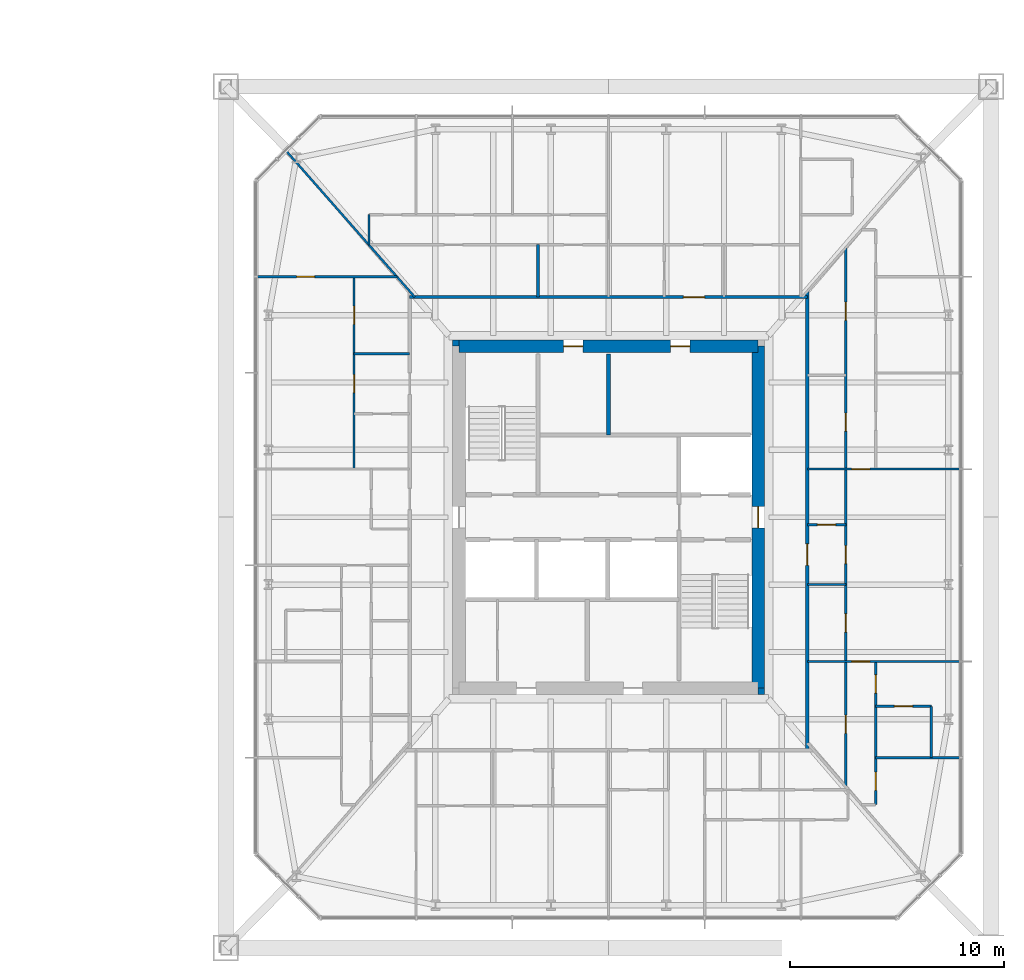
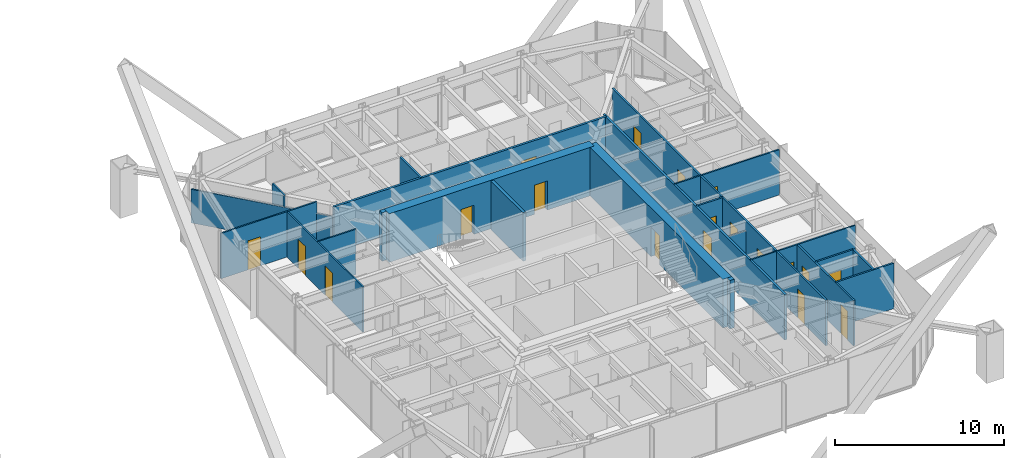
# One storey, part 22 of 28: 22 walls, 19 doors, 19 openings.
"""IFC4 building model written with IfcOpenShell, lengths in metres."""

from ifc_helpers import new_model, si_unit, direction, frame, frame_2d, origin, place, context, subcontext, project, spatial, rectangle, extrude, material, layer, layer_set, type_object, element, fill, save


model = new_model("IFC4")

# Units and contexts
model_context = context("Model", 3, precision=1e-05, world=origin(), true_north=direction((0.0, 1.0)))
body_context = subcontext(model_context, "Body", "Model", "MODEL_VIEW")
ifc_project = project(units=[si_unit("LENGTHUNIT", "METRE"), si_unit("AREAUNIT", "SQUARE_METRE"), si_unit("VOLUMEUNIT", "CUBIC_METRE"), si_unit("PLANEANGLEUNIT", "RADIAN"), si_unit("MASSUNIT", "GRAM", prefix="KILO")], contexts=[model_context])

# Site, building, storey
site_placement = place(None, origin())
site = spatial("IfcSite", under=ifc_project, at=site_placement, CompositionType="ELEMENT")
building_placement = place(site_placement, origin())
building = spatial("IfcBuilding", under=site, at=building_placement, Name="Iwan Alto Co-Living Towers", CompositionType="ELEMENT")
storey_placement = place(building_placement, frame((0.0, 0.0, 64.0)))
storey = spatial("IfcBuildingStorey", under=building, at=storey_placement, Name="L17", CompositionType="ELEMENT", Elevation=64.0)

# Wall, opening, door
ifc_material_1 = material(Name="Gypsum board")
ifc_layer_1 = layer(ifc_material_1, 0.02490234375, Name="Board", Category="Finish")
ifc_material_2 = material(Name="Steel ASTM A1003 ST33H cold-formed studs", Category="steel")
ifc_layer_2 = layer(ifc_material_2, 0.10009765625, Name="Studs", Category="Framing")
ifc_layer_3 = layer(ifc_material_1, 0.02490234375, Name="Board", Category="Finish")
ifc_layer_set_1 = layer_set([ifc_layer_1, ifc_layer_2, ifc_layer_3], Name="CORRIDOR WALL 150")
wall_type_1 = type_object("IfcWallType", Name="CORRIDOR WALL 150", PredefinedType="PARTITIONING", material=ifc_layer_set_1)
wall_1_placement = place(storey_placement, frame((53.699951171875, 10.300048828125, 0.0), z_axis=(0.0, 0.0, 1.0), x_axis=(1.0, 0.0, 0.0)))
wall_1 = element("IfcWall", 1, at=wall_1_placement, inside=storey, type_object=wall_type_1, Name="Partition L17", PredefinedType="PARTITIONING", context=body_context, shape_type="SweptSolid", body=[
    extrude(rectangle(XDim=18.60009765625, YDim=0.14990234375, at=frame_2d((9.300048828125, 0.0))), origin(), (0.0, 0.0, 1.0), 3.27001953125),
])
opening_1_placement = place(wall_1_placement, frame((12.800048828125, 0.0, 0.0)))
opening_1 = element("IfcOpeningElement", 2, at=opening_1_placement, cuts=wall_1, Name="Opening D3", PredefinedType="OPENING", context=body_context, shape_type="SweptSolid", body=[
    extrude(rectangle(XDim=1.0, YDim=2.10009765625, at=frame_2d((0.5, 1.050048828125))), frame((0.0, 0.0849609375, 0.0), z_axis=(0.0, -1.0, 0.0), x_axis=(1.0, 0.0, 0.0)), (0.0, 0.0, 1.0), 0.169921875),
])
ifc_material_3 = material(Name="Steel frame with timber leaf", Category="steel")
door_type_1 = type_object("IfcDoorType", Name="FLAT ENTRANCE DOOR FD30S 1000X2100", OperationType="SINGLE_SWING_LEFT", PredefinedType="DOOR", material=ifc_material_3)
door_1_placement = place(opening_1_placement, origin())
door_1 = element("IfcDoor", 3, at=door_1_placement, inside=storey, type_object=door_type_1, Name="Apartment foyer door L17", OperationType="SINGLE_SWING_LEFT", OverallHeight=2.10009765625, OverallWidth=1.0, PredefinedType="DOOR", context=body_context, shape_type="SweptSolid", body=[
    extrude(rectangle(XDim=1.0, YDim=2.10009765625, at=frame_2d((0.5, 1.050048828125))), frame((0.0, 0.02490234375, 0.0), z_axis=(0.0, -1.0, 0.0), x_axis=(1.0, 0.0, 0.0)), (0.0, 0.0, 1.0), 0.050048828125),
])
fill(opening_1, door_1)

wall_2_placement = place(storey_placement, frame((72.300048828125, -10.89990234375, 0.0), z_axis=(0.0, 0.0, 1.0), x_axis=(0.0, 1.0, 0.0)))
wall_2 = element("IfcWall", 4, at=wall_2_placement, inside=storey, type_object=wall_type_1, Name="Partition L17", PredefinedType="PARTITIONING", context=body_context, shape_type="SweptSolid", body=[
    extrude(rectangle(XDim=21.468017578125, YDim=0.14990234375, at=frame_2d((10.73388671875, 0.0))), origin(), (0.0, 0.0, 1.0), 3.27001953125),
])
opening_2_placement = place(wall_2_placement, frame((8.64990234375, 0.0, 0.0)))
opening_2 = element("IfcOpeningElement", 5, at=opening_2_placement, cuts=wall_2, Name="Opening D3", PredefinedType="OPENING", context=body_context, shape_type="SweptSolid", body=[
    extrude(rectangle(XDim=1.0, YDim=2.10009765625, at=frame_2d((0.5, 1.050048828125))), frame((0.0, 0.0849609375, 0.0), z_axis=(0.0, -1.0, 0.0), x_axis=(1.0, 0.0, 0.0)), (0.0, 0.0, 1.0), 0.169921875),
])
door_2_placement = place(opening_2_placement, frame((1.0, 0.0, 0.0), z_axis=(0.0, 0.0, 1.0), x_axis=(-1.0, 0.0, 0.0)))
door_2 = element("IfcDoor", 6, at=door_2_placement, inside=storey, type_object=door_type_1, Name="Apartment foyer door L17", OperationType="SINGLE_SWING_RIGHT", OverallHeight=2.10009765625, OverallWidth=1.0, PredefinedType="DOOR", context=body_context, shape_type="SweptSolid", body=[
    extrude(rectangle(XDim=1.0, YDim=2.10009765625, at=frame_2d((0.5, 1.050048828125))), frame((0.0, 0.02490234375, 0.0), z_axis=(0.0, -1.0, 0.0), x_axis=(1.0, 0.0, 0.0)), (0.0, 0.0, 1.0), 0.050048828125),
])
fill(opening_2, door_2)

ifc_layer_4 = layer(ifc_material_1, 0.012451171875, Name="Board", Category="Finish")
ifc_layer_5 = layer(ifc_material_2, 0.074951171875, Name="Studs", Category="Framing")
ifc_layer_6 = layer(ifc_material_1, 0.012451171875, Name="Board", Category="Finish")
ifc_layer_set_2 = layer_set([ifc_layer_4, ifc_layer_5, ifc_layer_6], Name="PARTITION 100")
wall_type_2 = type_object("IfcWallType", Name="PARTITION 100", PredefinedType="PARTITIONING", material=ifc_layer_set_2)
wall_3_placement = place(storey_placement, frame((72.300048828125, -6.75, 0.0), z_axis=(0.0, 0.0, 1.0), x_axis=(1.0, 0.0, 0.0)))
wall_3 = element("IfcWall", 7, at=wall_3_placement, inside=storey, type_object=wall_type_2, Name="Partition L17", PredefinedType="PARTITIONING", context=body_context, shape_type="SweptSolid", body=[
    extrude(rectangle(XDim=7.139892578125, YDim=0.10009765625, at=frame_2d((3.56982421875, 0.0))), origin(), (0.0, 0.0, 1.0), 3.27001953125),
])
opening_3_placement = place(wall_3_placement, frame((2.074951171875, 0.0, 0.0)))
opening_3 = element("IfcOpeningElement", 8, at=opening_3_placement, cuts=wall_3, Name="Opening D2", PredefinedType="OPENING", context=body_context, shape_type="SweptSolid", body=[
    extrude(rectangle(XDim=0.85009765625, YDim=2.10009765625, at=frame_2d((0.425048828125, 1.050048828125))), frame((0.0, 0.06005859375, 0.0), z_axis=(0.0, -1.0, 0.0), x_axis=(1.0, 0.0, 0.0)), (0.0, 0.0, 1.0), 0.1201171875),
])
ifc_material_4 = material(Name="Timber leaf in steel frame", Category="steel")
door_type_2 = type_object("IfcDoorType", Name="ROOM DOOR 850X2100", OperationType="SINGLE_SWING_LEFT", PredefinedType="DOOR", material=ifc_material_4)
door_3_placement = place(opening_3_placement, origin())
door_3 = element("IfcDoor", 9, at=door_3_placement, inside=storey, type_object=door_type_2, Name="Apartment hall door L17", OperationType="SINGLE_SWING_LEFT", OverallHeight=2.10009765625, OverallWidth=0.85009765625, PredefinedType="DOOR", context=body_context, shape_type="SweptSolid", body=[
    extrude(rectangle(XDim=0.85009765625, YDim=2.10009765625, at=frame_2d((0.425048828125, 1.050048828125))), frame((0.0, 0.02490234375, 0.0), z_axis=(0.0, -1.0, 0.0), x_axis=(1.0, 0.0, 0.0)), (0.0, 0.0, 1.0), 0.050048828125),
])
fill(opening_3, door_3)

# Wall
wall_4_placement = place(storey_placement, frame((72.300048828125, -3.14990234375, 0.0), z_axis=(0.0, 0.0, 1.0), x_axis=(1.0, 0.0, 0.0)))
element("IfcWall", 10, at=wall_4_placement, inside=storey, type_object=wall_type_2, Name="Partition L17", PredefinedType="PARTITIONING", context=body_context, shape_type="SweptSolid", body=[
    extrude(rectangle(XDim=1.800048828125, YDim=0.10009765625, at=frame_2d((0.89990234375, 0.0))), origin(), (0.0, 0.0, 1.0), 2.586669921875),
])

# Wall, opening, door
wall_5_placement = place(storey_placement, frame((72.300048828125, 2.25, 0.0), z_axis=(0.0, 0.0, 1.0), x_axis=(1.0, 0.0, 0.0)))
wall_5 = element("IfcWall", 11, at=wall_5_placement, inside=storey, type_object=wall_type_2, Name="Partition L17", PredefinedType="PARTITIONING", context=body_context, shape_type="SweptSolid", body=[
    extrude(rectangle(XDim=7.139892578125, YDim=0.10009765625, at=frame_2d((3.56982421875, 0.0))), origin(), (0.0, 0.0, 1.0), 3.27001953125),
])
opening_4_placement = place(wall_5_placement, frame((2.074951171875, 0.0, 0.0)))
opening_4 = element("IfcOpeningElement", 12, at=opening_4_placement, cuts=wall_5, Name="Opening D2", PredefinedType="OPENING", context=body_context, shape_type="SweptSolid", body=[
    extrude(rectangle(XDim=0.85009765625, YDim=2.10009765625, at=frame_2d((0.425048828125, 1.050048828125))), frame((0.0, 0.06005859375, 0.0), z_axis=(0.0, -1.0, 0.0), x_axis=(1.0, 0.0, 0.0)), (0.0, 0.0, 1.0), 0.1201171875),
])
door_4_placement = place(opening_4_placement, frame((0.85009765625, 0.0, 0.0), z_axis=(0.0, 0.0, 1.0), x_axis=(-1.0, 0.0, 0.0)))
door_4 = element("IfcDoor", 13, at=door_4_placement, inside=storey, type_object=door_type_2, Name="Apartment hall door L17", OperationType="SINGLE_SWING_RIGHT", OverallHeight=2.10009765625, OverallWidth=0.85009765625, PredefinedType="DOOR", context=body_context, shape_type="SweptSolid", body=[
    extrude(rectangle(XDim=0.85009765625, YDim=2.10009765625, at=frame_2d((0.425048828125, 1.050048828125))), frame((0.0, 0.02490234375, 0.0), z_axis=(0.0, -1.0, 0.0), x_axis=(1.0, 0.0, 0.0)), (0.0, 0.0, 1.0), 0.050048828125),
])
fill(opening_4, door_4)

# Wall
wall_6_placement = place(storey_placement, frame((51.10009765625, 7.64990234375, 0.0), z_axis=(0.0, 0.0, 1.0), x_axis=(1.0, 0.0, 0.0)))
element("IfcWall", 14, at=wall_6_placement, inside=storey, type_object=wall_type_2, Name="Partition L17", PredefinedType="PARTITIONING", context=body_context, shape_type="SweptSolid", body=[
    extrude(rectangle(XDim=2.599853515625, YDim=0.10009765625, at=frame_2d((1.2998046875, 0.0))), origin(), (0.0, 0.0, 1.0), 3.27001953125),
])

# Wall, opening, door
wall_7_placement = place(storey_placement, frame((46.56005859375, 11.25, 0.0), z_axis=(0.0, 0.0, 1.0), x_axis=(1.0, 0.0, 0.0)))
wall_7 = element("IfcWall", 15, at=wall_7_placement, inside=storey, type_object=wall_type_2, Name="Partition L17", PredefinedType="PARTITIONING", context=body_context, shape_type="SweptSolid", body=[
    extrude(rectangle(XDim=6.5400390625, YDim=0.10009765625, at=frame_2d((3.27001953125, 0.0))), origin(), (0.0, 0.0, 1.0), 3.27001953125),
])
opening_5_placement = place(wall_7_placement, frame((1.844970703125, 0.0, 0.0)))
opening_5 = element("IfcOpeningElement", 16, at=opening_5_placement, cuts=wall_7, Name="Opening D2", PredefinedType="OPENING", context=body_context, shape_type="SweptSolid", body=[
    extrude(rectangle(XDim=0.85009765625, YDim=2.10009765625, at=frame_2d((0.425048828125, 1.050048828125))), frame((0.0, 0.06005859375, 0.0), z_axis=(0.0, -1.0, 0.0), x_axis=(1.0, 0.0, 0.0)), (0.0, 0.0, 1.0), 0.1201171875),
])
door_5_placement = place(opening_5_placement, frame((0.85009765625, 0.0, 0.0), z_axis=(0.0, 0.0, 1.0), x_axis=(-1.0, 0.0, 0.0)))
door_5 = element("IfcDoor", 17, at=door_5_placement, inside=storey, type_object=door_type_2, Name="Bedroom door L17", OperationType="SINGLE_SWING_LEFT", OverallHeight=2.10009765625, OverallWidth=0.85009765625, PredefinedType="DOOR", context=body_context, shape_type="SweptSolid", body=[
    extrude(rectangle(XDim=0.85009765625, YDim=2.10009765625, at=frame_2d((0.425048828125, 1.050048828125))), frame((0.0, 0.02490234375, 0.0), z_axis=(0.0, -1.0, 0.0), x_axis=(1.0, 0.0, 0.0)), (0.0, 0.0, 1.0), 0.050048828125),
])
fill(opening_5, door_5)

# Wall
wall_8_placement = place(storey_placement, frame((51.800048828125, 12.72705078125, 0.0), z_axis=(0.0, 0.0, 1.0), x_axis=(0.0, 1.0, 0.0)))
element("IfcWall", 18, at=wall_8_placement, inside=storey, type_object=wall_type_2, Name="Partition L17", PredefinedType="PARTITIONING", context=body_context, shape_type="SweptSolid", body=[
    extrude(rectangle(XDim=1.4228515625, YDim=0.10009765625, at=frame_2d((0.71142578125, 0.0))), origin(), (0.0, 0.0, 1.0), 3.27001953125),
])

# Wall, openings, doors
wall_9_placement = place(storey_placement, frame((51.10009765625, 2.25, 0.0), z_axis=(0.0, 0.0, 1.0), x_axis=(0.0, 1.0, 0.0)))
wall_9 = element("IfcWall", 19, at=wall_9_placement, inside=storey, type_object=wall_type_2, Name="Partition L17", PredefinedType="PARTITIONING", context=body_context, shape_type="SweptSolid", body=[
    extrude(rectangle(XDim=9.0, YDim=0.10009765625, at=frame_2d((4.5, 0.0))), origin(), (0.0, 0.0, 1.0), 3.27001953125),
])
opening_6_placement = place(wall_9_placement, frame((6.77490234375, 0.0, 0.0)))
opening_6 = element("IfcOpeningElement", 20, at=opening_6_placement, cuts=wall_9, Name="Opening D2", PredefinedType="OPENING", context=body_context, shape_type="SweptSolid", body=[
    extrude(rectangle(XDim=0.85009765625, YDim=2.10009765625, at=frame_2d((0.425048828125, 1.050048828125))), frame((0.0, 0.06005859375, 0.0), z_axis=(0.0, -1.0, 0.0), x_axis=(1.0, 0.0, 0.0)), (0.0, 0.0, 1.0), 0.1201171875),
])
opening_7_placement = place(wall_9_placement, frame((3.574951171875, 0.0, 0.0)))
opening_7 = element("IfcOpeningElement", 21, at=opening_7_placement, cuts=wall_9, Name="Opening D2", PredefinedType="OPENING", context=body_context, shape_type="SweptSolid", body=[
    extrude(rectangle(XDim=0.85009765625, YDim=2.10009765625, at=frame_2d((0.425048828125, 1.050048828125))), frame((0.0, 0.06005859375, 0.0), z_axis=(0.0, -1.0, 0.0), x_axis=(1.0, 0.0, 0.0)), (0.0, 0.0, 1.0), 0.1201171875),
])
door_6_placement = place(opening_6_placement, origin())
door_6 = element("IfcDoor", 22, at=door_6_placement, inside=storey, type_object=door_type_2, Name="Kitchen door L17", OperationType="SINGLE_SWING_RIGHT", OverallHeight=2.10009765625, OverallWidth=0.85009765625, PredefinedType="DOOR", context=body_context, shape_type="SweptSolid", body=[
    extrude(rectangle(XDim=0.85009765625, YDim=2.10009765625, at=frame_2d((0.425048828125, 1.050048828125))), frame((0.0, 0.02490234375, 0.0), z_axis=(0.0, -1.0, 0.0), x_axis=(1.0, 0.0, 0.0)), (0.0, 0.0, 1.0), 0.050048828125),
])
fill(opening_6, door_6)
door_7_placement = place(opening_7_placement, origin())
door_7 = element("IfcDoor", 23, at=door_7_placement, inside=storey, type_object=door_type_2, Name="Apartment foyer door L17", OperationType="SINGLE_SWING_LEFT", OverallHeight=2.10009765625, OverallWidth=0.85009765625, PredefinedType="DOOR", context=body_context, shape_type="SweptSolid", body=[
    extrude(rectangle(XDim=0.85009765625, YDim=2.10009765625, at=frame_2d((0.425048828125, 1.050048828125))), frame((0.0, 0.02490234375, 0.0), z_axis=(0.0, -1.0, 0.0), x_axis=(1.0, 0.0, 0.0)), (0.0, 0.0, 1.0), 0.050048828125),
])
fill(opening_7, door_7)

# Walls
wall_10_placement = place(storey_placement, frame((53.93603515625, 10.300048828125, 0.0), z_axis=(0.0, 0.0, 1.0), x_axis=(-0.660638210404, 0.750704439146, 0.0)))
element("IfcWall", 24, at=wall_10_placement, inside=storey, type_object=wall_type_2, Name="Partition L17", PredefinedType="PARTITIONING", context=body_context, shape_type="SweptSolid", body=[
    extrude(rectangle(XDim=9.06982421875, YDim=0.10009765625, at=frame_2d((4.534912109375, 0.0))), origin(), (0.0, 0.0, 1.0), 2.42919921875),
])
ifc_material_5 = material(Name="Concrete f'c 70 MPa", Category="concrete")
ifc_layer_7 = layer(ifc_material_5, 0.199951171875)
ifc_layer_set_3 = layer_set([ifc_layer_7], Name="SHAFT WALL 200")
wall_type_3 = type_object("IfcWallType", Name="SHAFT WALL 200", PredefinedType="SOLIDWALL", material=ifc_layer_set_3)
wall_11_placement = place(storey_placement, frame((63.0, 3.85009765625, 0.0), z_axis=(0.0, 0.0, 1.0), x_axis=(0.0, 1.0, 0.0)))
element("IfcWall", 25, at=wall_11_placement, inside=storey, type_object=wall_type_3, Name="Shaft wall L17", PredefinedType="SOLIDWALL", context=body_context, shape_type="SweptSolid", body=[
    extrude(rectangle(XDim=3.789794921875, YDim=0.199951171875, at=frame_2d((1.89501953125, 0.0))), origin(), (0.0, 0.0, 1.0), 3.5),
])
ifc_material_6 = material(Name="Concrete f'c 70 MPa", Category="concrete")
ifc_layer_8 = layer(ifc_material_6, 0.300048828125)
ifc_layer_set_4 = layer_set([ifc_layer_8], Name="T2 CORE CORNER FILL 300")
wall_type_4 = type_object("IfcWallType", Name="T2 CORE CORNER FILL 300", PredefinedType="SOLIDWALL", material=ifc_layer_set_4)
for number, where, z_axis, x_axis, name in (
    (26, (70.0, -8.14990234375, 0.0), (0.0, 0.0, 1.0), (1.0, 0.0, 0.0), "T2 core corner SE L17"),
    (27, (55.699951171875, 8.14990234375, 0.0), (0.0, 0.0, 1.0), (1.0, 0.0, 0.0), "T2 core corner NW L17"),
):
    element("IfcWall", number, at=place(storey_placement, frame(where, z_axis=z_axis, x_axis=x_axis)), inside=storey, type_object=wall_type_4, Name=name, PredefinedType="SOLIDWALL", context=body_context, shape_type="SweptSolid", body=[
        extrude(rectangle(XDim=0.300048828125, YDim=0.300048828125, at=frame_2d((0.14990234375, 0.0))), origin(), (0.0, 0.0, 1.0), 3.5),
    ])

# Wall, openings, doors
ifc_material_7 = material(Name="Concrete f'c 70 MPa", Category="concrete")
ifc_layer_9 = layer(ifc_material_7, 0.60009765625)
ifc_layer_set_5 = layer_set([ifc_layer_9], Name="T2 CORE WALL 600")
wall_type_5 = type_object("IfcWallType", Name="T2 CORE WALL 600", PredefinedType="SHEAR", material=ifc_layer_set_5)
wall_12_placement = place(storey_placement, frame((70.0, 8.0, 0.0), z_axis=(0.0, 0.0, 1.0), x_axis=(-1.0, 0.0, 0.0)))
wall_12 = element("IfcWall", 28, at=wall_12_placement, inside=storey, type_object=wall_type_5, Name="T2 core wall N L17", PredefinedType="SHEAR", context=body_context, shape_type="SweptSolid", body=[
    extrude(rectangle(XDim=14.0, YDim=0.60009765625, at=frame_2d((7.0, 0.0))), origin(), (0.0, 0.0, 1.0), 3.5),
])
opening_8_placement = place(wall_12_placement, frame((8.199951171875, 0.0, 0.0)))
opening_8 = element("IfcOpeningElement", 29, at=opening_8_placement, cuts=wall_12, Name="Opening D8", PredefinedType="OPENING", context=body_context, shape_type="SweptSolid", body=[
    extrude(rectangle(XDim=0.89990234375, YDim=2.10009765625, at=frame_2d((0.449951171875, 1.050048828125))), frame((0.0, 0.31005859375, 0.0), z_axis=(0.0, -1.0, 0.0), x_axis=(1.0, 0.0, 0.0)), (0.0, 0.0, 1.0), 0.6201171875),
])
opening_9_placement = place(wall_12_placement, frame((3.199951171875, 0.0, 0.0)))
opening_9 = element("IfcOpeningElement", 30, at=opening_9_placement, cuts=wall_12, Name="Opening D8", PredefinedType="OPENING", context=body_context, shape_type="SweptSolid", body=[
    extrude(rectangle(XDim=0.89990234375, YDim=2.10009765625, at=frame_2d((0.449951171875, 1.050048828125))), frame((0.0, 0.31005859375, 0.0), z_axis=(0.0, -1.0, 0.0), x_axis=(1.0, 0.0, 0.0)), (0.0, 0.0, 1.0), 0.6201171875),
])
ifc_material_8 = material(Name="Steel frame with timber leaf", Category="steel")
door_type_3 = type_object("IfcDoorType", Name="RISER DOOR FD120 900X2100", OperationType="SINGLE_SWING_LEFT", PredefinedType="DOOR", material=ifc_material_8)
door_8_placement = place(opening_8_placement, origin())
door_8 = element("IfcDoor", 31, at=door_8_placement, inside=storey, type_object=door_type_3, Name="Electrical riser core door L17", OperationType="SINGLE_SWING_RIGHT", OverallHeight=2.10009765625, OverallWidth=0.89990234375, PredefinedType="DOOR", context=body_context, shape_type="SweptSolid", body=[
    extrude(rectangle(XDim=0.89990234375, YDim=2.10009765625, at=frame_2d((0.449951171875, 1.050048828125))), frame((0.0, 0.02490234375, 0.0), z_axis=(0.0, -1.0, 0.0), x_axis=(1.0, 0.0, 0.0)), (0.0, 0.0, 1.0), 0.050048828125),
])
fill(opening_8, door_8)
door_9_placement = place(opening_9_placement, origin())
door_9 = element("IfcDoor", 32, at=door_9_placement, inside=storey, type_object=door_type_3, Name="Water and drainage riser core door L17", OperationType="SINGLE_SWING_RIGHT", OverallHeight=2.10009765625, OverallWidth=0.89990234375, PredefinedType="DOOR", context=body_context, shape_type="SweptSolid", body=[
    extrude(rectangle(XDim=0.89990234375, YDim=2.10009765625, at=frame_2d((0.449951171875, 1.050048828125))), frame((0.0, 0.02490234375, 0.0), z_axis=(0.0, -1.0, 0.0), x_axis=(1.0, 0.0, 0.0)), (0.0, 0.0, 1.0), 0.050048828125),
])
fill(opening_9, door_9)

# Wall, opening, door
wall_13_placement = place(storey_placement, frame((70.0, -8.0, 0.0), z_axis=(0.0, 0.0, 1.0), x_axis=(0.0, 1.0, 0.0)))
wall_13 = element("IfcWall", 33, at=wall_13_placement, inside=storey, type_object=wall_type_5, Name="T2 core wall E L17", PredefinedType="SHEAR", context=body_context, shape_type="SweptSolid", body=[
    extrude(rectangle(XDim=16.0, YDim=0.60009765625, at=frame_2d((8.0, 0.0))), origin(), (0.0, 0.0, 1.0), 3.5),
])
opening_10_placement = place(wall_13_placement, frame((7.5, 0.0, 0.0)))
opening_10 = element("IfcOpeningElement", 34, at=opening_10_placement, cuts=wall_13, Name="Opening D7", PredefinedType="OPENING", context=body_context, shape_type="SweptSolid", body=[
    extrude(rectangle(XDim=1.0, YDim=2.10009765625, at=frame_2d((0.5, 1.050048828125))), frame((0.0, 0.31005859375, 0.0), z_axis=(0.0, -1.0, 0.0), x_axis=(1.0, 0.0, 0.0)), (0.0, 0.0, 1.0), 0.6201171875),
])
ifc_material_9 = material(Name="Steel frame with timber leaf", Category="steel")
door_type_4 = type_object("IfcDoorType", Name="CORE DOOR FD120S 1000X2100", OperationType="SINGLE_SWING_LEFT", PredefinedType="DOOR", material=ifc_material_9)
door_10_placement = place(opening_10_placement, origin())
door_10 = element("IfcDoor", 35, at=door_10_placement, inside=storey, type_object=door_type_4, Name="Firefighting lobby core door L17", OperationType="SINGLE_SWING_LEFT", OverallHeight=2.10009765625, OverallWidth=1.0, PredefinedType="DOOR", context=body_context, shape_type="SweptSolid", body=[
    extrude(rectangle(XDim=1.0, YDim=2.10009765625, at=frame_2d((0.5, 1.050048828125))), frame((0.0, 0.02490234375, 0.0), z_axis=(0.0, -1.0, 0.0), x_axis=(1.0, 0.0, 0.0)), (0.0, 0.0, 1.0), 0.050048828125),
])
fill(opening_10, door_10)

# Wall
ifc_material_10 = material(Name="Cement board")
ifc_layer_10 = layer(ifc_material_10, 0.012451171875, Name="Board", Category="Finish")
ifc_layer_11 = layer(ifc_material_2, 0.094970703125, Name="Studs", Category="Framing")
ifc_layer_12 = layer(ifc_material_10, 0.012451171875, Name="Board", Category="Finish")
ifc_layer_set_6 = layer_set([ifc_layer_10, ifc_layer_11, ifc_layer_12], Name="WET AREA PARTITION 120")
wall_type_6 = type_object("IfcWallType", Name="WET AREA PARTITION 120", PredefinedType="PARTITIONING", material=ifc_layer_set_6)
wall_14_placement = place(storey_placement, frame((75.5, -11.25, 0.0), z_axis=(0.0, 0.0, 1.0), x_axis=(1.0, 0.0, 0.0)))
element("IfcWall", 36, at=wall_14_placement, inside=storey, type_object=wall_type_6, Name="Partition L17", PredefinedType="PARTITIONING", context=body_context, shape_type="SweptSolid", body=[
    extrude(rectangle(XDim=3.93994140625, YDim=0.1201171875, at=frame_2d((1.969970703125, 0.0))), origin(), (0.0, 0.0, 1.0), 3.27001953125),
])

# Wall, opening, door
wall_15_placement = place(storey_placement, frame((75.5, -8.85009765625, 0.0), z_axis=(0.0, 0.0, 1.0), x_axis=(1.0, 0.0, 0.0)))
wall_15 = element("IfcWall", 37, at=wall_15_placement, inside=storey, type_object=wall_type_6, Name="Partition L17", PredefinedType="PARTITIONING", context=body_context, shape_type="SweptSolid", body=[
    extrude(rectangle(XDim=2.60009765625, YDim=0.1201171875, at=frame_2d((1.300048828125, 0.0))), origin(), (0.0, 0.0, 1.0), 3.27001953125),
])
opening_11_placement = place(wall_15_placement, frame((0.875, 0.0, 0.0)))
opening_11 = element("IfcOpeningElement", 38, at=opening_11_placement, cuts=wall_15, Name="Opening D2", PredefinedType="OPENING", context=body_context, shape_type="SweptSolid", body=[
    extrude(rectangle(XDim=0.85009765625, YDim=2.10009765625, at=frame_2d((0.425048828125, 1.050048828125))), frame((0.0, 0.070068359375, 0.0), z_axis=(0.0, -1.0, 0.0), x_axis=(1.0, 0.0, 0.0)), (0.0, 0.0, 1.0), 0.14013671875),
])
door_11_placement = place(opening_11_placement, origin())
door_11 = element("IfcDoor", 39, at=door_11_placement, inside=storey, type_object=door_type_2, Name="En-suite shower room door L17", OperationType="SINGLE_SWING_LEFT", OverallHeight=2.10009765625, OverallWidth=0.85009765625, PredefinedType="DOOR", context=body_context, shape_type="SweptSolid", body=[
    extrude(rectangle(XDim=0.85009765625, YDim=2.10009765625, at=frame_2d((0.425048828125, 1.050048828125))), frame((0.0, 0.02490234375, 0.0), z_axis=(0.0, -1.0, 0.0), x_axis=(1.0, 0.0, 0.0)), (0.0, 0.0, 1.0), 0.050048828125),
])
fill(opening_11, door_11)

wall_16_placement = place(storey_placement, frame((72.300048828125, -0.35009765625, 0.0), z_axis=(0.0, 0.0, 1.0), x_axis=(1.0, 0.0, 0.0)))
wall_16 = element("IfcWall", 40, at=wall_16_placement, inside=storey, type_object=wall_type_6, Name="Partition L17", PredefinedType="PARTITIONING", context=body_context, shape_type="SweptSolid", body=[
    extrude(rectangle(XDim=1.800048828125, YDim=0.1201171875, at=frame_2d((0.89990234375, 0.0))), origin(), (0.0, 0.0, 1.0), 3.27001953125),
])
opening_12_placement = place(wall_16_placement, frame((0.47509765625, 0.0, 0.0)))
opening_12 = element("IfcOpeningElement", 41, at=opening_12_placement, cuts=wall_16, Name="Opening D2", PredefinedType="OPENING", context=body_context, shape_type="SweptSolid", body=[
    extrude(rectangle(XDim=0.85009765625, YDim=2.10009765625, at=frame_2d((0.425048828125, 1.050048828125))), frame((0.0, 0.070068359375, 0.0), z_axis=(0.0, -1.0, 0.0), x_axis=(1.0, 0.0, 0.0)), (0.0, 0.0, 1.0), 0.14013671875),
])
door_12_placement = place(opening_12_placement, origin())
door_12 = element("IfcDoor", 42, at=door_12_placement, inside=storey, type_object=door_type_2, Name="Bathroom door L17", OperationType="SINGLE_SWING_LEFT", OverallHeight=2.10009765625, OverallWidth=0.85009765625, PredefinedType="DOOR", context=body_context, shape_type="SweptSolid", body=[
    extrude(rectangle(XDim=0.85009765625, YDim=2.10009765625, at=frame_2d((0.425048828125, 1.050048828125))), frame((0.0, 0.02490234375, 0.0), z_axis=(0.0, -1.0, 0.0), x_axis=(1.0, 0.0, 0.0)), (0.0, 0.0, 1.0), 0.050048828125),
])
fill(opening_12, door_12)

# Wall
wall_17_placement = place(storey_placement, frame((78.10009765625, -11.25, 0.0), z_axis=(0.0, 0.0, 1.0), x_axis=(0.0, 1.0, 0.0)))
element("IfcWall", 43, at=wall_17_placement, inside=storey, type_object=wall_type_6, Name="Partition L17", PredefinedType="PARTITIONING", context=body_context, shape_type="SweptSolid", body=[
    extrude(rectangle(XDim=2.39990234375, YDim=0.1201171875, at=frame_2d((1.199951171875, 0.0))), origin(), (0.0, 0.0, 1.0), 3.27001953125),
])

# Wall, openings, doors
wall_18_placement = place(storey_placement, frame((75.5, -13.449951171875, 0.0), z_axis=(0.0, 0.0, 1.0), x_axis=(0.0, 1.0, 0.0)))
wall_18 = element("IfcWall", 44, at=wall_18_placement, inside=storey, type_object=wall_type_6, Name="Partition L17", PredefinedType="PARTITIONING", context=body_context, shape_type="SweptSolid", body=[
    extrude(rectangle(XDim=6.699951171875, YDim=0.1201171875, at=frame_2d((3.35009765625, 0.0))), origin(), (0.0, 0.0, 1.0), 3.27001953125),
])
opening_13_placement = place(wall_18_placement, frame((5.22509765625, 0.0, 0.0)))
opening_13 = element("IfcOpeningElement", 45, at=opening_13_placement, cuts=wall_18, Name="Opening D2", PredefinedType="OPENING", context=body_context, shape_type="SweptSolid", body=[
    extrude(rectangle(XDim=0.85009765625, YDim=2.10009765625, at=frame_2d((0.425048828125, 1.050048828125))), frame((0.0, 0.070068359375, 0.0), z_axis=(0.0, -1.0, 0.0), x_axis=(1.0, 0.0, 0.0)), (0.0, 0.0, 1.0), 0.14013671875),
])
opening_14_placement = place(wall_18_placement, frame((0.675048828125, 0.0, 0.0)))
opening_14 = element("IfcOpeningElement", 46, at=opening_14_placement, cuts=wall_18, Name="Opening D2", PredefinedType="OPENING", context=body_context, shape_type="SweptSolid", body=[
    extrude(rectangle(XDim=0.85009765625, YDim=2.10009765625, at=frame_2d((0.425048828125, 1.050048828125))), frame((0.0, 0.070068359375, 0.0), z_axis=(0.0, -1.0, 0.0), x_axis=(1.0, 0.0, 0.0)), (0.0, 0.0, 1.0), 0.14013671875),
])
door_13_placement = place(opening_13_placement, frame((0.85009765625, 0.0, 0.0), z_axis=(0.0, 0.0, 1.0), x_axis=(-1.0, 0.0, 0.0)))
door_13 = element("IfcDoor", 47, at=door_13_placement, inside=storey, type_object=door_type_2, Name="Bedroom door L17", OperationType="SINGLE_SWING_RIGHT", OverallHeight=2.10009765625, OverallWidth=0.85009765625, PredefinedType="DOOR", context=body_context, shape_type="SweptSolid", body=[
    extrude(rectangle(XDim=0.85009765625, YDim=2.10009765625, at=frame_2d((0.425048828125, 1.050048828125))), frame((0.0, 0.02490234375, 0.0), z_axis=(0.0, -1.0, 0.0), x_axis=(1.0, 0.0, 0.0)), (0.0, 0.0, 1.0), 0.050048828125),
])
fill(opening_13, door_13)
door_14_placement = place(opening_14_placement, frame((0.85009765625, 0.0, 0.0), z_axis=(0.0, 0.0, 1.0), x_axis=(-1.0, 0.0, 0.0)))
door_14 = element("IfcDoor", 48, at=door_14_placement, inside=storey, type_object=door_type_2, Name="Bedroom door L17", OperationType="SINGLE_SWING_LEFT", OverallHeight=2.10009765625, OverallWidth=0.85009765625, PredefinedType="DOOR", context=body_context, shape_type="SweptSolid", body=[
    extrude(rectangle(XDim=0.85009765625, YDim=2.10009765625, at=frame_2d((0.425048828125, 1.050048828125))), frame((0.0, 0.02490234375, 0.0), z_axis=(0.0, -1.0, 0.0), x_axis=(1.0, 0.0, 0.0)), (0.0, 0.0, 1.0), 0.050048828125),
])
fill(opening_14, door_14)

wall_19_placement = place(storey_placement, frame((74.10009765625, -12.614013671875, 0.0), z_axis=(0.0, 0.0, 1.0), x_axis=(0.0, 1.0, 0.0)))
wall_19 = element("IfcWall", 49, at=wall_19_placement, inside=storey, type_object=wall_type_6, Name="Partition L17", PredefinedType="PARTITIONING", context=body_context, shape_type="SweptSolid", body=[
    extrude(rectangle(XDim=25.22802734375, YDim=0.1201171875, at=frame_2d((12.614013671875, 0.0))), origin(), (0.0, 0.0, 1.0), 3.27001953125),
])
opening_15_placement = place(wall_19_placement, frame((7.239013671875, 0.0, 0.0)))
opening_15 = element("IfcOpeningElement", 50, at=opening_15_placement, cuts=wall_19, Name="Opening D2", PredefinedType="OPENING", context=body_context, shape_type="SweptSolid", body=[
    extrude(rectangle(XDim=0.85009765625, YDim=2.10009765625, at=frame_2d((0.425048828125, 1.050048828125))), frame((0.0, 0.070068359375, 0.0), z_axis=(0.0, -1.0, 0.0), x_axis=(1.0, 0.0, 0.0)), (0.0, 0.0, 1.0), 0.14013671875),
])
opening_16_placement = place(wall_19_placement, frame((10.43896484375, 0.0, 0.0)))
opening_16 = element("IfcOpeningElement", 51, at=opening_16_placement, cuts=wall_19, Name="Opening D2", PredefinedType="OPENING", context=body_context, shape_type="SweptSolid", body=[
    extrude(rectangle(XDim=0.85009765625, YDim=2.10009765625, at=frame_2d((0.425048828125, 1.050048828125))), frame((0.0, 0.070068359375, 0.0), z_axis=(0.0, -1.0, 0.0), x_axis=(1.0, 0.0, 0.0)), (0.0, 0.0, 1.0), 0.14013671875),
])
opening_17_placement = place(wall_19_placement, frame((2.507080078125, 0.0, 0.0)))
opening_17 = element("IfcOpeningElement", 52, at=opening_17_placement, cuts=wall_19, Name="Opening D2", PredefinedType="OPENING", context=body_context, shape_type="SweptSolid", body=[
    extrude(rectangle(XDim=0.85009765625, YDim=2.10009765625, at=frame_2d((0.425048828125, 1.050048828125))), frame((0.0, 0.070068359375, 0.0), z_axis=(0.0, -1.0, 0.0), x_axis=(1.0, 0.0, 0.0)), (0.0, 0.0, 1.0), 0.14013671875),
])
opening_18_placement = place(wall_19_placement, frame((16.638916015625, 0.0, 0.0)))
opening_18 = element("IfcOpeningElement", 53, at=opening_18_placement, cuts=wall_19, Name="Opening D2", PredefinedType="OPENING", context=body_context, shape_type="SweptSolid", body=[
    extrude(rectangle(XDim=0.85009765625, YDim=2.10009765625, at=frame_2d((0.425048828125, 1.050048828125))), frame((0.0, 0.070068359375, 0.0), z_axis=(0.0, -1.0, 0.0), x_axis=(1.0, 0.0, 0.0)), (0.0, 0.0, 1.0), 0.14013671875),
])
opening_19_placement = place(wall_19_placement, frame((21.821044921875, 0.0, 0.0)))
opening_19 = element("IfcOpeningElement", 54, at=opening_19_placement, cuts=wall_19, Name="Opening D2", PredefinedType="OPENING", context=body_context, shape_type="SweptSolid", body=[
    extrude(rectangle(XDim=0.85009765625, YDim=2.10009765625, at=frame_2d((0.425048828125, 1.050048828125))), frame((0.0, 0.070068359375, 0.0), z_axis=(0.0, -1.0, 0.0), x_axis=(1.0, 0.0, 0.0)), (0.0, 0.0, 1.0), 0.14013671875),
])
door_15_placement = place(opening_15_placement, frame((0.85009765625, 0.0, 0.0), z_axis=(0.0, 0.0, 1.0), x_axis=(-1.0, 0.0, 0.0)))
door_15 = element("IfcDoor", 55, at=door_15_placement, inside=storey, type_object=door_type_2, Name="Kitchen door L17", OperationType="SINGLE_SWING_RIGHT", OverallHeight=2.10009765625, OverallWidth=0.85009765625, PredefinedType="DOOR", context=body_context, shape_type="SweptSolid", body=[
    extrude(rectangle(XDim=0.85009765625, YDim=2.10009765625, at=frame_2d((0.425048828125, 1.050048828125))), frame((0.0, 0.02490234375, 0.0), z_axis=(0.0, -1.0, 0.0), x_axis=(1.0, 0.0, 0.0)), (0.0, 0.0, 1.0), 0.050048828125),
])
fill(opening_15, door_15)
door_16_placement = place(opening_16_placement, frame((0.85009765625, 0.0, 0.0), z_axis=(0.0, 0.0, 1.0), x_axis=(-1.0, 0.0, 0.0)))
door_16 = element("IfcDoor", 56, at=door_16_placement, inside=storey, type_object=door_type_2, Name="Apartment foyer door L17", OperationType="SINGLE_SWING_LEFT", OverallHeight=2.10009765625, OverallWidth=0.85009765625, PredefinedType="DOOR", context=body_context, shape_type="SweptSolid", body=[
    extrude(rectangle(XDim=0.85009765625, YDim=2.10009765625, at=frame_2d((0.425048828125, 1.050048828125))), frame((0.0, 0.02490234375, 0.0), z_axis=(0.0, -1.0, 0.0), x_axis=(1.0, 0.0, 0.0)), (0.0, 0.0, 1.0), 0.050048828125),
])
fill(opening_16, door_16)
door_17_placement = place(opening_17_placement, origin())
door_17 = element("IfcDoor", 57, at=door_17_placement, inside=storey, type_object=door_type_2, Name="Utility room door L17", OperationType="SINGLE_SWING_LEFT", OverallHeight=2.10009765625, OverallWidth=0.85009765625, PredefinedType="DOOR", context=body_context, shape_type="SweptSolid", body=[
    extrude(rectangle(XDim=0.85009765625, YDim=2.10009765625, at=frame_2d((0.425048828125, 1.050048828125))), frame((0.0, 0.02490234375, 0.0), z_axis=(0.0, -1.0, 0.0), x_axis=(1.0, 0.0, 0.0)), (0.0, 0.0, 1.0), 0.050048828125),
])
fill(opening_17, door_17)
door_18_placement = place(opening_18_placement, origin())
door_18 = element("IfcDoor", 58, at=door_18_placement, inside=storey, type_object=door_type_2, Name="Utility room door L17", OperationType="SINGLE_SWING_LEFT", OverallHeight=2.10009765625, OverallWidth=0.85009765625, PredefinedType="DOOR", context=body_context, shape_type="SweptSolid", body=[
    extrude(rectangle(XDim=0.85009765625, YDim=2.10009765625, at=frame_2d((0.425048828125, 1.050048828125))), frame((0.0, 0.02490234375, 0.0), z_axis=(0.0, -1.0, 0.0), x_axis=(1.0, 0.0, 0.0)), (0.0, 0.0, 1.0), 0.050048828125),
])
fill(opening_18, door_18)
door_19_placement = place(opening_19_placement, origin())
door_19 = element("IfcDoor", 59, at=door_19_placement, inside=storey, type_object=door_type_2, Name="Store room door L17", OperationType="SINGLE_SWING_RIGHT", OverallHeight=2.10009765625, OverallWidth=0.85009765625, PredefinedType="DOOR", context=body_context, shape_type="SweptSolid", body=[
    extrude(rectangle(XDim=0.85009765625, YDim=2.10009765625, at=frame_2d((0.425048828125, 1.050048828125))), frame((0.0, 0.02490234375, 0.0), z_axis=(0.0, -1.0, 0.0), x_axis=(1.0, 0.0, 0.0)), (0.0, 0.0, 1.0), 0.050048828125),
])
fill(opening_19, door_19)

# Wall
wall_20_placement = place(storey_placement, frame((59.699951171875, 10.300048828125, 0.0), z_axis=(0.0, 0.0, 1.0), x_axis=(0.0, 1.0, 0.0)))
element("IfcWall", 60, at=wall_20_placement, inside=storey, type_object=wall_type_6, Name="Partition L17", PredefinedType="PARTITIONING", context=body_context, shape_type="SweptSolid", body=[
    extrude(rectangle(XDim=2.449951171875, YDim=0.1201171875, at=frame_2d((1.22509765625, 0.0))), origin(), (0.0, 0.0, 1.0), 3.27001953125),
])

save(model, "model.ifc")
